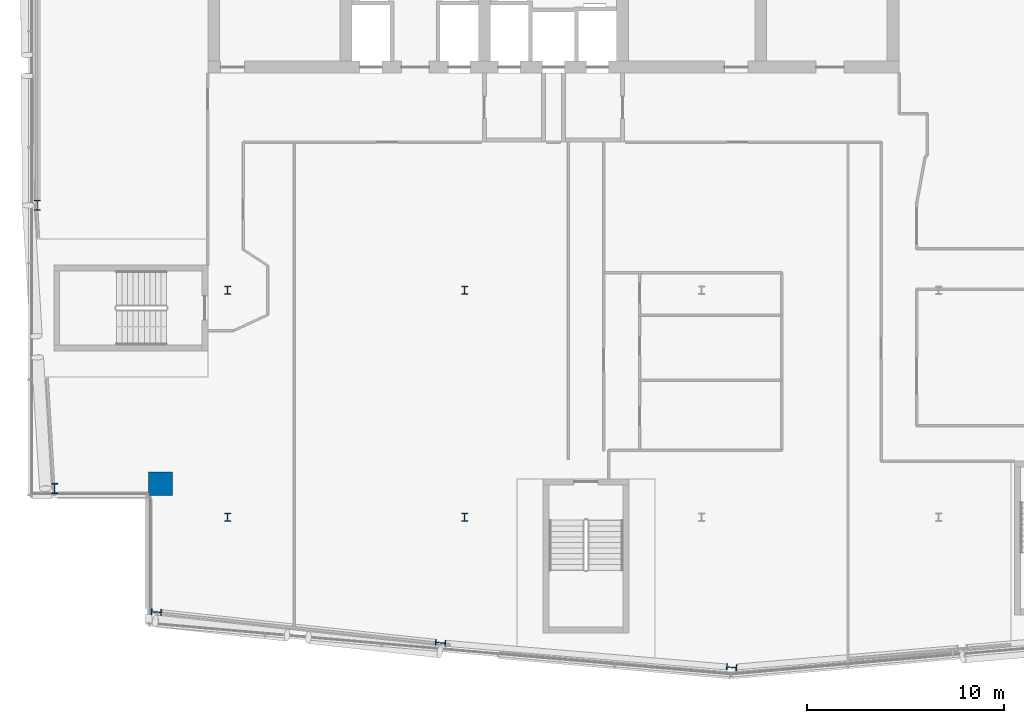
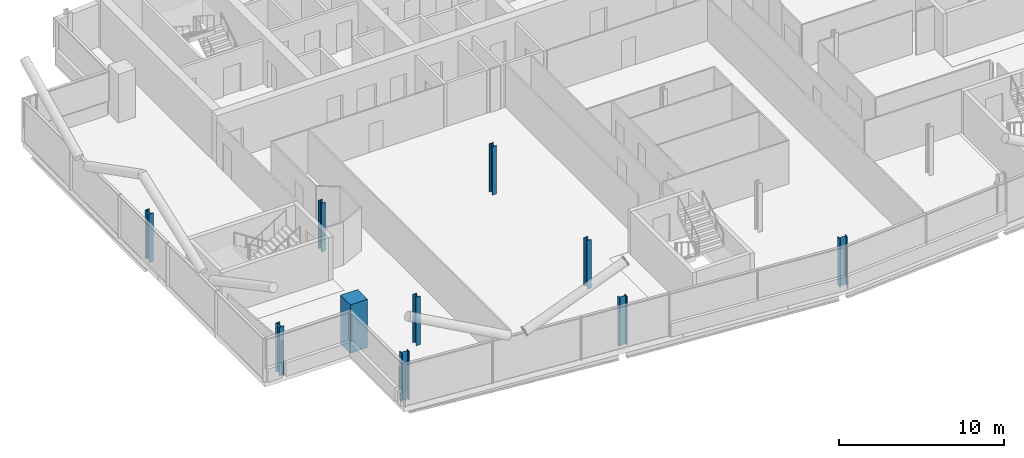
# One storey, part 1 of 26: 10 columns.
"""IFC4 building model written with IfcOpenShell, lengths in metres."""

from ifc_helpers import new_model, si_unit, direction, frame, origin, origin_2d, place, context, subcontext, project, spatial, rectangle, i_section, extrude, material, material_profile, profile_set, type_object, element, save


model = new_model("IFC4")

# Units and contexts
model_context = context("Model", 3, precision=1e-05, world=origin(), true_north=direction((0.0, 1.0)))
body_context = subcontext(model_context, "Body", "Model", "MODEL_VIEW")
ifc_project = project(units=[si_unit("LENGTHUNIT", "METRE"), si_unit("AREAUNIT", "SQUARE_METRE"), si_unit("VOLUMEUNIT", "CUBIC_METRE"), si_unit("PLANEANGLEUNIT", "RADIAN"), si_unit("MASSUNIT", "GRAM", prefix="KILO")], contexts=[model_context])

# Site, building, storey
site_placement = place(None, origin())
site = spatial("IfcSite", under=ifc_project, at=site_placement, CompositionType="ELEMENT")
building_placement = place(site_placement, origin())
building = spatial("IfcBuilding", under=site, at=building_placement, Name="Wharfspan Tower", CompositionType="ELEMENT")
storey_placement = place(building_placement, frame((0.0, 0.0, 235.899902)))
storey = spatial("IfcBuildingStorey", under=building, at=storey_placement, Name="L59", CompositionType="ELEMENT", Elevation=235.899902)

# Columns
ifc_material_1 = material(Name="Steel S355J2", Category="steel")
ifc_material_profile_1 = material_profile(ifc_material_1, i_section(OverallWidth=0.300049, OverallDepth=0.399902, WebThickness=0.013428, FlangeThickness=0.023926, FilletRadius=0.0271, at=origin_2d()))
ifc_profile_set_1 = profile_set([ifc_material_profile_1], Name="Steel S355J2")
column_type_1 = type_object("IfcColumnType", Name="Column HEB 400", PredefinedType="COLUMN", material=ifc_profile_set_1)
for number, where, z_axis, x_axis, name in (
    (1, (24.0, 11.5, 0.0), (0.0, 0.0, 1.0), (1.0, 0.0, 0.0), "Interior column I.1.1 L59"),
    (2, (36.0, 11.5, 0.0), (0.0, 0.0, 1.0), (1.0, 0.0, 0.0), "Interior column I.1.2 L59"),
    (3, (24.0, 23.0, 0.0), (0.0, 0.0, 1.0), (1.0, 0.0, 0.0), "Interior column I.2.1 L59"),
    (4, (36.0, 23.0, 0.0), (0.0, 0.0, 1.0), (1.0, 0.0, 0.0), "Interior column I.2.2 L59"),
):
    element("IfcColumn", number, at=place(storey_placement, frame(where, z_axis=z_axis, x_axis=x_axis)), inside=storey, type_object=column_type_1, Name=name, PredefinedType="COLUMN", context=body_context, shape_type="SweptSolid", body=[
        extrude(i_section(OverallWidth=0.300049, OverallDepth=0.399902, WebThickness=0.013428, FlangeThickness=0.023926, FilletRadius=0.0271, at=origin_2d()), origin(), (0.0, 0.0, 1.0), 3.600098),
    ])
ifc_material_profile_2 = material_profile(ifc_material_1, i_section(OverallWidth=0.305908, OverallDepth=0.523926, WebThickness=0.020996, FlangeThickness=0.040039, FilletRadius=0.0271, at=origin_2d()))
ifc_profile_set_2 = profile_set([ifc_material_profile_2], Name="Steel S355J2")
column_type_2 = type_object("IfcColumnType", Name="Column HEM 500", PredefinedType="COLUMN", material=ifc_profile_set_2)
for number, where, z_axis, x_axis, name in (
    (5, (20.392334, 6.702637, 0.0), (0.0, 0.0, 1.0), (-0.087156, -0.996197, 0.0), "Perimeter column PS1.1 L59"),
    (6, (34.781494, 5.143311, 0.0), (0.0, 0.0, 1.0), (-0.087156, -0.996197, 0.0), "Perimeter column PS1.2 L59"),
    (7, (49.522949, 3.9021, 0.0), (0.0, 0.0, 1.0), (-0.087156, -0.996197, 0.0), "Perimeter column PS1.3 L59"),
    (8, (14.360107, 27.300049, 0.0), (0.0, 0.0, 1.0), (-1.0, 0.0, 0.0), "Perimeter column PW.1 L59"),
    (9, (15.237793, 12.963379, 0.0), (0.0, 0.0, 1.0), (-1.0, 0.0, 0.0), "Perimeter column PW.2 L59"),
):
    element("IfcColumn", number, at=place(storey_placement, frame(where, z_axis=z_axis, x_axis=x_axis)), inside=storey, type_object=column_type_2, Name=name, PredefinedType="COLUMN", context=body_context, shape_type="SweptSolid", body=[
        extrude(i_section(OverallWidth=0.305908, OverallDepth=0.523926, WebThickness=0.020996, FlangeThickness=0.040039, FilletRadius=0.0271, at=origin_2d()), origin(), (0.0, 0.0, 1.0), 3.600098),
    ])
ifc_material_2 = material(Name="Concrete C50/60", Category="concrete")
ifc_material_profile_3 = material_profile(ifc_material_2, rectangle(XDim=1.199951, YDim=1.199951, at=origin_2d()))
ifc_profile_set_3 = profile_set([ifc_material_profile_3], Name="Concrete C50/60")
column_type_3 = type_object("IfcColumnType", Name="Mega column 1200 C50/60", PredefinedType="COLUMN", material=ifc_profile_set_3)
column_placement = place(storey_placement, frame((20.600098, 13.199951, 0.0), z_axis=(0.0, 0.0, 1.0), x_axis=(1.0, 0.0, 0.0)))
element("IfcColumn", 10, at=column_placement, inside=storey, type_object=column_type_3, Name="Mega column MC1 L59", PredefinedType="COLUMN", context=body_context, shape_type="SweptSolid", body=[
    extrude(rectangle(XDim=1.199951, YDim=1.199951, at=origin_2d()), origin(), (0.0, 0.0, 1.0), 3.600098),
])

save(model, "model.ifc")
